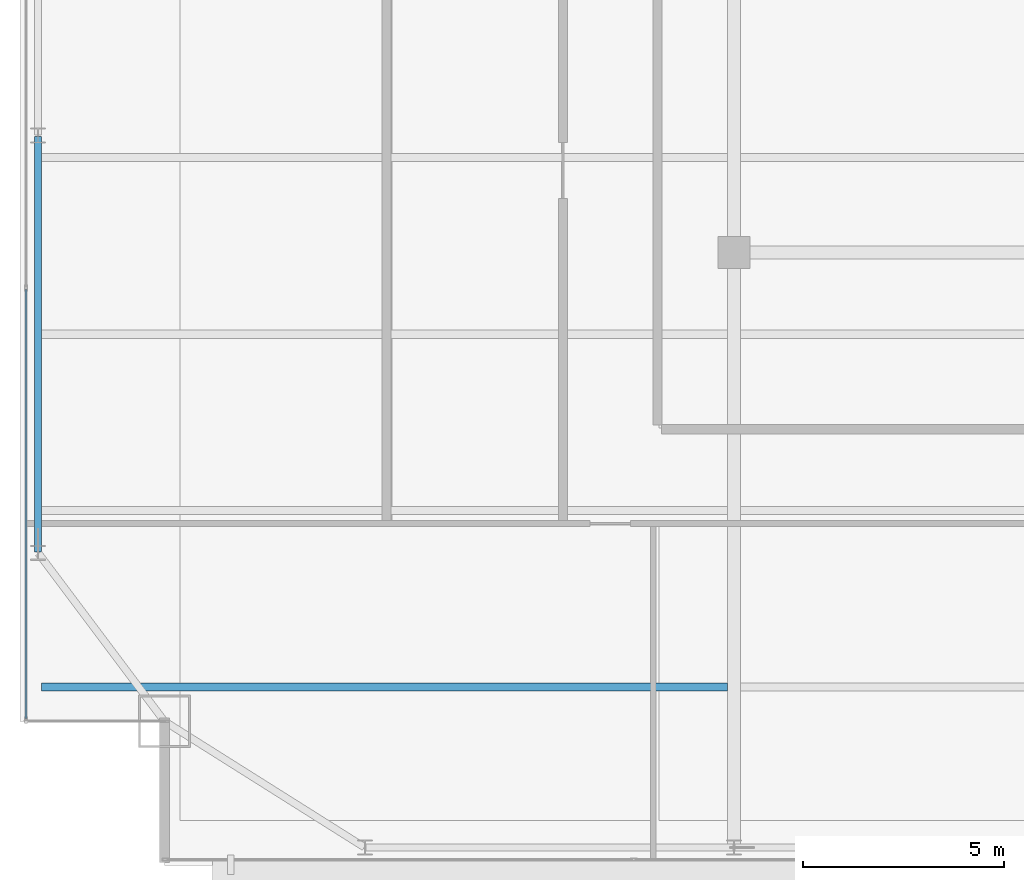
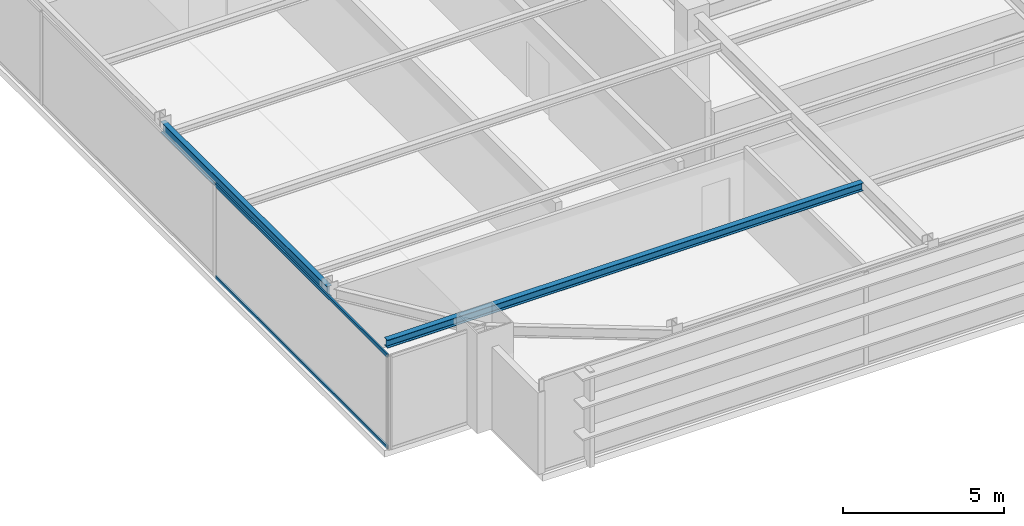
# One storey, part 6 of 29: 2 beams, 2 members, 1 element without a shape of its own.
"""IFC4 building model written with IfcOpenShell, lengths in metres."""

from ifc_helpers import new_model, si_unit, direction, frame, origin, origin_2d, place, context, subcontext, project, spatial, hollow_rectangle, i_section, extrude, source, transform, mapped, material, layer, layer_set, material_profile, profile_set, type_object, type_shapes, element, aggregate, save


model = new_model("IFC4")

# Units and contexts
model_context = context("Model", 3, precision=1e-05, world=origin(), true_north=direction((0.0, 1.0)))
body_context = subcontext(model_context, "Body", "Model", "MODEL_VIEW")
ifc_project = project(units=[si_unit("LENGTHUNIT", "METRE"), si_unit("AREAUNIT", "SQUARE_METRE"), si_unit("VOLUMEUNIT", "CUBIC_METRE"), si_unit("PLANEANGLEUNIT", "RADIAN"), si_unit("MASSUNIT", "GRAM", prefix="KILO")], contexts=[model_context])

# Site, building, storey
site_placement = place(None, origin())
site = spatial("IfcSite", under=ifc_project, at=site_placement, CompositionType="ELEMENT")
building_placement = place(site_placement, origin())
building = spatial("IfcBuilding", under=site, at=building_placement, Name="Varnel Quay Broadcast Tower", CompositionType="ELEMENT")
storey_placement = place(building_placement, frame((0.0, 0.0, 172.39990234375)))
storey = spatial("IfcBuildingStorey", under=building, at=storey_placement, Name="L42", CompositionType="ELEMENT", Elevation=172.39990234375)

# Beams
ifc_material_1 = material(Name="Structural Steel CSA G40.21 350W", Category="steel")
ifc_material_profile_1 = material_profile(ifc_material_1, i_section(OverallWidth=0.180908203125, OverallDepth=0.4169921875, WebThickness=0.010986328125, FlangeThickness=0.018310546875, FilletRadius=0.011962890625, at=origin_2d()), Name="W410X85")
ifc_profile_set_1 = profile_set([ifc_material_profile_1], Name="Structural Steel CSA G40.21 350W")
beam_type_1 = type_object("IfcBeamType", Name="Beam_W410X85", PredefinedType="SPANDREL", material=ifc_profile_set_1)
shared_shape_1 = source(origin(), body_context, "Body", "SweptSolid", [
    extrude(i_section(OverallWidth=0.180908203125, OverallDepth=0.4169921875, WebThickness=0.010986328125, FlangeThickness=0.018310546875, FilletRadius=0.011962890625, at=origin_2d()), origin(), (0.0, 0.0, 1.0), 10.35986328125),
])
type_shapes(beam_type_1, [shared_shape_1])
beam_1_placement = place(storey_placement, frame((7.449951171875, 15.02001953125, 3.341552734375), z_axis=(0.0, 1.0, 0.0), x_axis=(-1.0, 0.0, 0.0)))
element("IfcBeam", 1, at=beam_1_placement, inside=storey, type_object=beam_type_1, Name="L42 West Spandrel TC-W1-TC-W2", PredefinedType="SPANDREL", context=body_context, shape_type="MappedRepresentation", body=[
    mapped(shared_shape_1, transform((0.0, 0.0, 0.0), x_axis=(1.0, 0.0, 0.0), y_axis=(0.0, 1.0, 0.0), z_axis=(0.0, 0.0, 1.0), scale=1.0)),
])
ifc_material_profile_2 = material_profile(ifc_material_1, i_section(OverallWidth=0.202880859375, OverallDepth=0.302978515625, WebThickness=0.007568359375, FlangeThickness=0.01318359375, FilletRadius=0.011962890625, at=origin_2d()), Name="W310X60")
ifc_profile_set_2 = profile_set([ifc_material_profile_2], Name="Structural Steel CSA G40.21 350W")
beam_type_2 = type_object("IfcBeamType", Name="Beam_W310X60", PredefinedType="JOIST", material=ifc_profile_set_2)
shared_shape_2 = source(origin(), body_context, "Body", "SweptSolid", [
    extrude(i_section(OverallWidth=0.202880859375, OverallDepth=0.302978515625, WebThickness=0.007568359375, FlangeThickness=0.01318359375, FilletRadius=0.011962890625, at=origin_2d()), origin(), (0.0, 0.0, 1.0), 17.107177734375),
])
type_shapes(beam_type_2, [shared_shape_2])
beam_2_placement = place(storey_placement, frame((7.535400390625, 11.64990234375, 3.398681640625), z_axis=(1.0, 0.0, 0.0), x_axis=(0.0, 1.0, 0.0)))
element("IfcBeam", 2, at=beam_2_placement, inside=storey, type_object=beam_type_2, Name="L42 West Floor Joist 1", PredefinedType="JOIST", context=body_context, shape_type="MappedRepresentation", body=[
    mapped(shared_shape_2, transform((0.0, 0.0, 0.0), x_axis=(1.0, 0.0, 0.0), y_axis=(0.0, 1.0, 0.0), z_axis=(0.0, 0.0, 1.0), scale=1.0)),
])

# Curtain wall, members
ifc_material_2 = material(Name="Anodised Bronze Aluminium 6063-T6", Category="aluminium")
ifc_layer = layer(ifc_material_2, 0.18994140625, Name="Anodised Bronze Aluminium 6063-T6")
ifc_layer_set = layer_set([ifc_layer], Name="Anodised Bronze Aluminium 6063-T6")
curtain_wall_type = type_object("IfcCurtainWallType", Name="CW_UpperTower", PredefinedType="NOTDEFINED", material=ifc_layer_set)
curtain_wall_placement = place(storey_placement, origin())
curtain_wall = element("IfcCurtainWall", 3, at=curtain_wall_placement, inside=storey, type_object=curtain_wall_type, Name="L42 West Unitised Curtain Wall", PredefinedType="NOTDEFINED")
ifc_material_profile_3 = material_profile(ifc_material_2, hollow_rectangle(XDim=0.06005859375, YDim=0.125, WallThickness=0.0029296875, at=origin_2d()), Name="ALU60X125X3")
ifc_profile_set_3 = profile_set([ifc_material_profile_3], Name="Anodised Bronze Aluminium 6063-T6")
member_type = type_object("IfcMemberType", Name="Tran_CWS-03", PredefinedType="USERDEFINED", material=ifc_profile_set_3)
shared_shape_3 = source(origin(), body_context, "Body", "SweptSolid", [
    extrude(hollow_rectangle(XDim=0.06005859375, YDim=0.125, WallThickness=0.0029296875, at=origin_2d()), origin(), (0.0, 0.0, 1.0), 10.702392578125),
])
type_shapes(member_type, [shared_shape_3])
member_1_placement = place(storey_placement, frame((7.14990234375, 10.864990234375, 0.030029296875), z_axis=(0.0, 1.0, 0.0), x_axis=(-1.0, 0.0, 0.0)))
member_1 = element("IfcMember", 4, at=member_1_placement, type_object=member_type, Name="CWS-03 transom 1.1", ObjectType="TRANSOM", PredefinedType="USERDEFINED", context=body_context, shape_type="MappedRepresentation", body=[
    mapped(shared_shape_3, transform((0.0, 0.0, 0.0), x_axis=(1.0, 0.0, 0.0), y_axis=(0.0, 1.0, 0.0), z_axis=(0.0, 0.0, 1.0), scale=1.0)),
])
member_2_placement = place(storey_placement, frame((7.14990234375, 10.864990234375, 3.52001953125), z_axis=(0.0, 1.0, 0.0), x_axis=(-1.0, 0.0, 0.0)))
member_2 = element("IfcMember", 5, at=member_2_placement, type_object=member_type, Name="CWS-03 transom 1.2", ObjectType="TRANSOM", PredefinedType="USERDEFINED", context=body_context, shape_type="MappedRepresentation", body=[
    mapped(shared_shape_3, transform((0.0, 0.0, 0.0), x_axis=(1.0, 0.0, 0.0), y_axis=(0.0, 1.0, 0.0), z_axis=(0.0, 0.0, 1.0), scale=1.0)),
])
aggregate(curtain_wall, [member_1, member_2])

save(model, "model.ifc")
